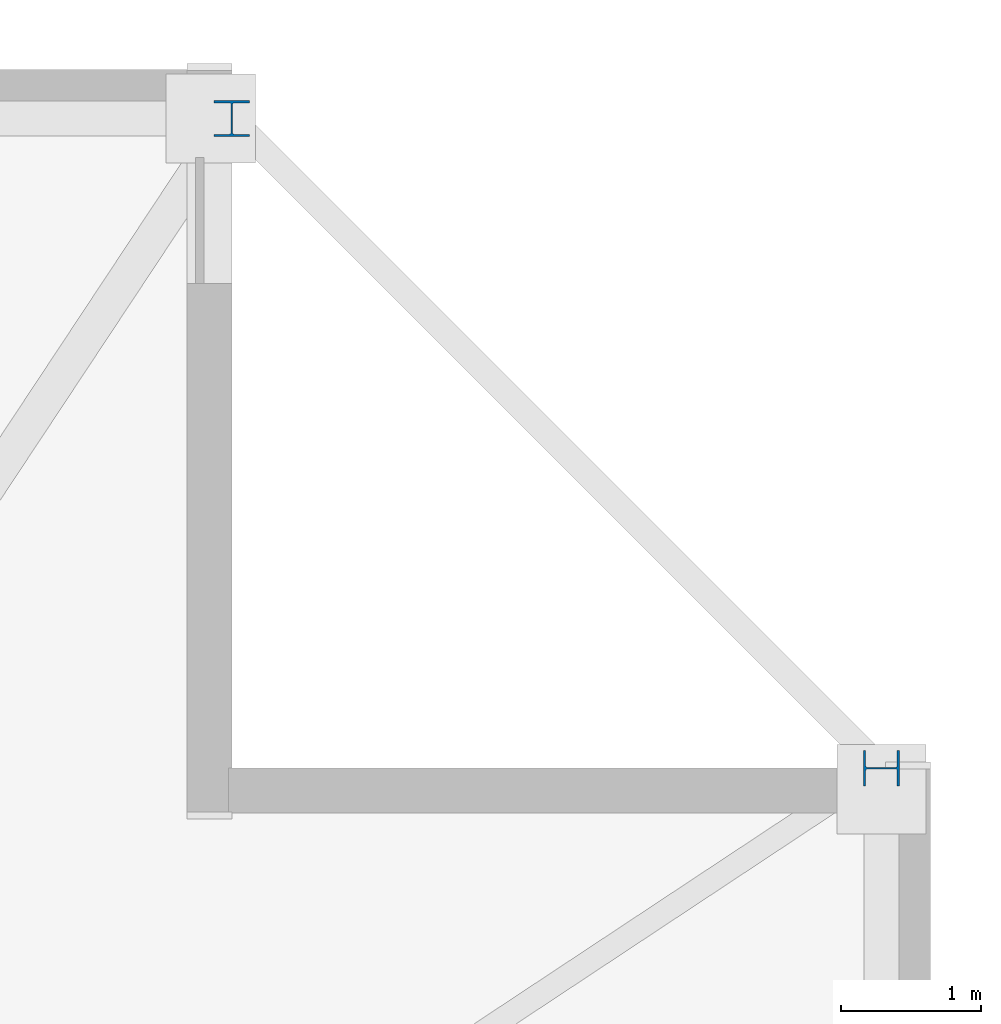
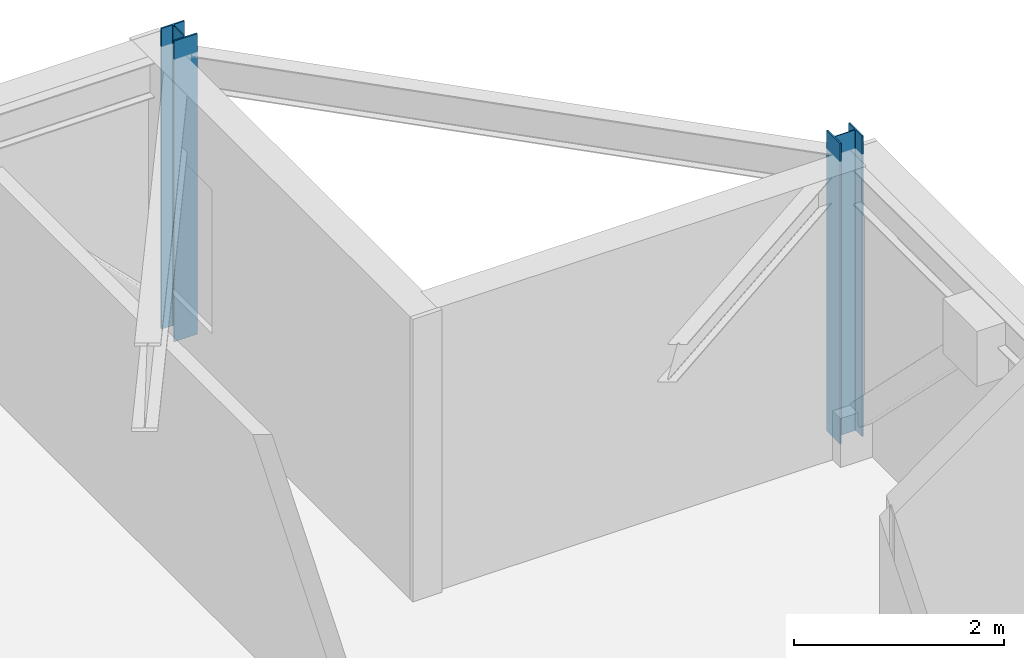
# One storey, part 5 of 15: 2 columns.
"""IFC4 building model written with IfcOpenShell, lengths in metres."""

from ifc_helpers import new_model, si_unit, direction, frame, origin, origin_2d, place, context, subcontext, project, spatial, i_section, extrude, material, material_profile, profile_set, type_object, element, save


model = new_model("IFC4")

# Units and contexts
model_context = context("Model", 3, precision=1e-05, world=origin(), true_north=direction((0.0, 1.0)))
body_context = subcontext(model_context, "Body", "Model", "MODEL_VIEW")
ifc_project = project(units=[si_unit("LENGTHUNIT", "METRE"), si_unit("AREAUNIT", "SQUARE_METRE"), si_unit("VOLUMEUNIT", "CUBIC_METRE"), si_unit("PLANEANGLEUNIT", "RADIAN"), si_unit("MASSUNIT", "GRAM", prefix="KILO")], contexts=[model_context])

# Site, building, storey
site_placement = place(None, origin())
site = spatial("IfcSite", under=ifc_project, at=site_placement, CompositionType="ELEMENT")
building_placement = place(site_placement, origin())
building = spatial("IfcBuilding", under=site, at=building_placement, Name="Cairnveth Concourse Tower", CompositionType="ELEMENT")
storey_placement = place(building_placement, frame((0.0, 0.0, 265.5)))
storey = spatial("IfcBuildingStorey", under=building, at=storey_placement, Name="L73", CompositionType="ELEMENT", Elevation=265.5)

# Columns
ifc_material = material(Name="Steel Grade 350", Category="steel")
ifc_material_profile = material_profile(ifc_material, i_section(OverallWidth=0.256103515625, OverallDepth=0.260009765625, WebThickness=0.010498046875, FlangeThickness=0.017333984375, FilletRadius=0.012939453125, at=origin_2d()), Name="250UC89.5")
ifc_profile_set = profile_set([ifc_material_profile], Name="Steel Grade 350")
column_type = type_object("IfcColumnType", Name="UNIVERSAL STEEL COLUMN 250UC89.5", PredefinedType="COLUMN", material=ifc_profile_set)
for number, where, z_axis, x_axis, name in (
    (1, (74.14990234375, 56.5, 0.0), (0.0, 0.0, 1.0), (0.0, 1.0, 0.0), "Column P-E4 L73"),
    (2, (69.5, 61.14990234375, 0.0), (0.0, 0.0, 1.0), (1.0, 0.0, 0.0), "Column P-N1 L73"),
):
    element("IfcColumn", number, at=place(storey_placement, frame(where, z_axis=z_axis, x_axis=x_axis)), inside=storey, type_object=column_type, Name=name, PredefinedType="COLUMN", context=body_context, shape_type="SweptSolid", body=[
        extrude(i_section(OverallWidth=0.256103515625, OverallDepth=0.260009765625, WebThickness=0.010498046875, FlangeThickness=0.017333984375, FilletRadius=0.012939453125, at=origin_2d()), origin(), (0.0, 0.0, 1.0), 3.5),
    ])

save(model, "model.ifc")
